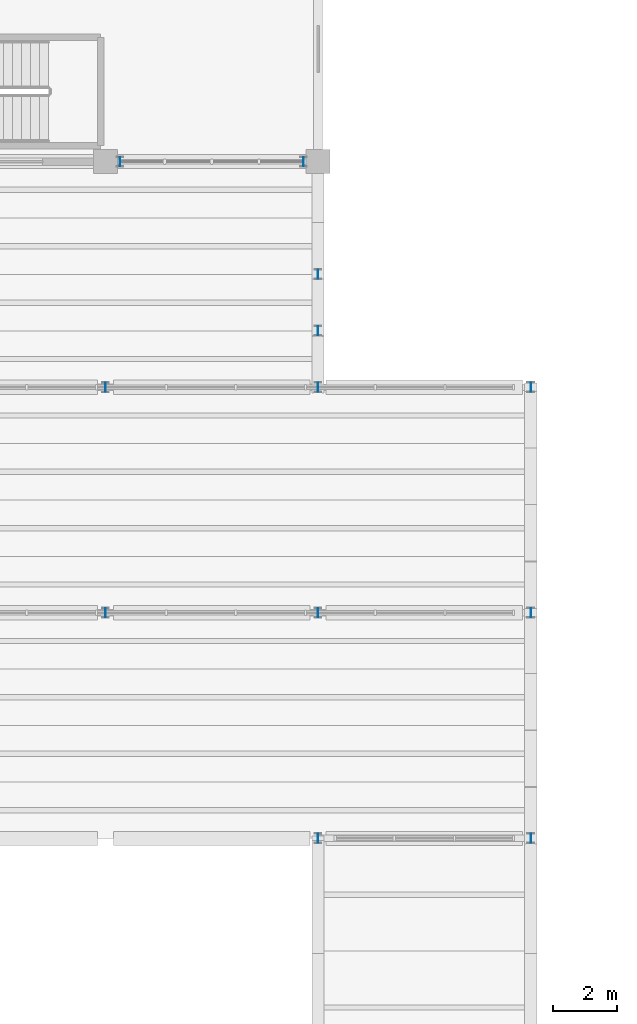
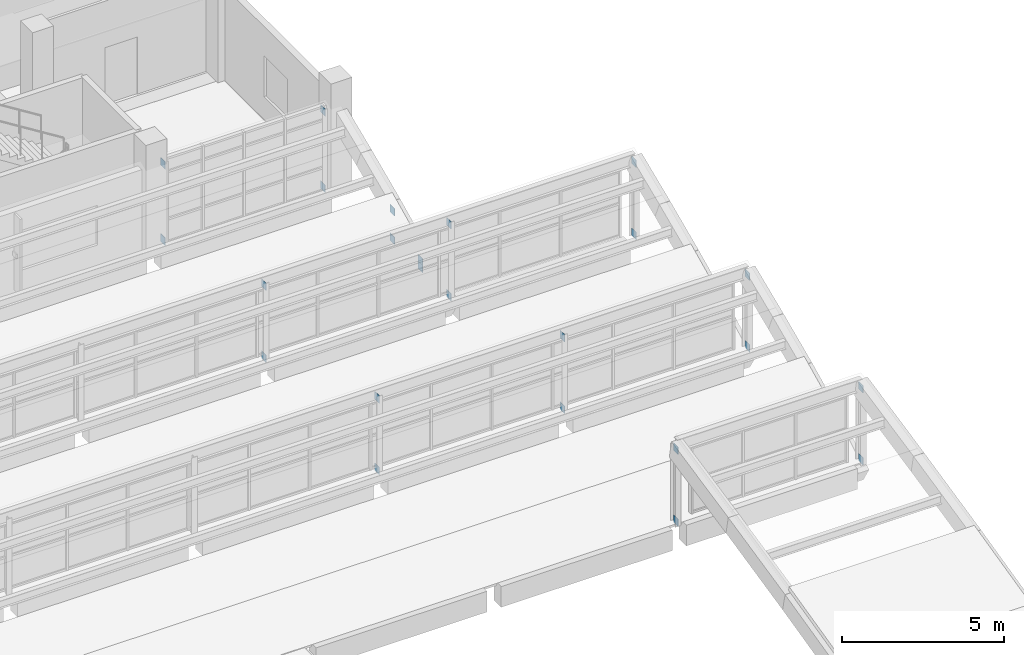
# One storey, part 85 of 92: 24 plates.
"""IFC4 building model written with IfcOpenShell, lengths in metres."""

from ifc_helpers import new_model, si_unit, direction, frame, origin, origin_2d, place, context, subcontext, project, spatial, rectangle, extrude, material, layer, layer_set, type_object, element, save


model = new_model("IFC4")

# Units and contexts
model_context = context("Model", 3, precision=1e-05, world=origin(), true_north=direction((0.0, 1.0)))
body_context = subcontext(model_context, "Body", "Model", "MODEL_VIEW")
ifc_project = project(units=[si_unit("LENGTHUNIT", "METRE"), si_unit("AREAUNIT", "SQUARE_METRE"), si_unit("VOLUMEUNIT", "CUBIC_METRE"), si_unit("PLANEANGLEUNIT", "RADIAN"), si_unit("MASSUNIT", "GRAM", prefix="KILO")], contexts=[model_context])

# Site, building, storey
site_placement = place(None, origin())
site = spatial("IfcSite", under=ifc_project, at=site_placement, CompositionType="ELEMENT")
building_placement = place(site_placement, origin())
building = spatial("IfcBuilding", under=site, at=building_placement, Name="Ciguamira Faculty of Natural Sciences", CompositionType="ELEMENT")
storey_placement = place(building_placement, frame((0.0, 0.0, 16.800048828125)))
storey = spatial("IfcBuildingStorey", under=building, at=storey_placement, Name="L04", CompositionType="ELEMENT", Elevation=16.800048828125)

# Plates
ifc_material = material(Name="Steel ASTM A572 Grade 50", Category="steel")
ifc_layer = layer(ifc_material, 0.01611328125, Name="Steel ASTM A572 Grade 50")
ifc_layer_set = layer_set([ifc_layer], Name="Steel ASTM A572 Grade 50")
plate_type = type_object("IfcPlateType", Name="GussetPlate_EP-01", PredefinedType="SHEET", material=ifc_layer_set)
for number, where, z_axis, x_axis, name in (
    (1, (110.10009765625, 73.0, 0.0), (0.0, 0.0, 1.0), (1.0, 0.0, 0.0), "V4 wave 4 post connection plate 110-1"),
    (2, (110.10009765625, 73.0, 2.7060546875), (0.0, 0.0, 1.0), (1.0, 0.0, 0.0), "V4 wave 4 post connection plate 110-2"),
    (3, (116.699951171875, 73.0, 0.0), (0.0, 0.0, 1.0), (1.0, 0.0, 0.0), "V4 wave 4 post connection plate 117-1"),
    (4, (116.699951171875, 73.0, 2.7060546875), (0.0, 0.0, 1.0), (1.0, 0.0, 0.0), "V4 wave 4 post connection plate 117-2"),
    (5, (103.5, 80.0, 0.0), (0.0, 0.0, 1.0), (1.0, 0.0, 0.0), "V4 wave 5 post connection plate 104-1"),
    (6, (103.5, 80.0, 2.7060546875), (0.0, 0.0, 1.0), (1.0, 0.0, 0.0), "V4 wave 5 post connection plate 104-2"),
    (7, (110.10009765625, 80.0, 0.0), (0.0, 0.0, 1.0), (1.0, 0.0, 0.0), "V4 wave 5 post connection plate 110-1"),
    (8, (110.10009765625, 80.0, 2.7060546875), (0.0, 0.0, 1.0), (1.0, 0.0, 0.0), "V4 wave 5 post connection plate 110-2"),
    (9, (116.699951171875, 80.0, 0.0), (0.0, 0.0, 1.0), (1.0, 0.0, 0.0), "V4 wave 5 post connection plate 117-1"),
    (10, (116.699951171875, 80.0, 2.7060546875), (0.0, 0.0, 1.0), (1.0, 0.0, 0.0), "V4 wave 5 post connection plate 117-2"),
    (11, (103.5, 87.0, 0.0), (0.0, 0.0, 1.0), (1.0, 0.0, 0.0), "V4 wave 6 post connection plate 104-1"),
    (12, (103.5, 87.0, 2.7060546875), (0.0, 0.0, 1.0), (1.0, 0.0, 0.0), "V4 wave 6 post connection plate 104-2"),
    (13, (110.10009765625, 87.0, 0.0), (0.0, 0.0, 1.0), (1.0, 0.0, 0.0), "V4 wave 6 post connection plate 110-1"),
    (14, (110.10009765625, 87.0, 2.7060546875), (0.0, 0.0, 1.0), (1.0, 0.0, 0.0), "V4 wave 6 post connection plate 110-2"),
    (15, (116.699951171875, 87.0, 0.0), (0.0, 0.0, 1.0), (1.0, 0.0, 0.0), "V4 wave 6 post connection plate 117-1"),
    (16, (116.699951171875, 87.0, 2.7060546875), (0.0, 0.0, 1.0), (1.0, 0.0, 0.0), "V4 wave 6 post connection plate 117-2"),
    (17, (103.949951171875, 94.0, 0.0), (0.0, 0.0, 1.0), (1.0, 0.0, 0.0), "V4 wave 7 post connection plate 104-1"),
    (18, (103.949951171875, 94.0, 2.8701171875), (0.0, 0.0, 1.0), (1.0, 0.0, 0.0), "V4 wave 7 post connection plate 104-2"),
    (19, (109.64990234375, 94.0, 0.0), (0.0, 0.0, 1.0), (1.0, 0.0, 0.0), "V4 wave 7 post connection plate 110-1"),
    (20, (109.64990234375, 94.0, 2.8701171875), (0.0, 0.0, 1.0), (1.0, 0.0, 0.0), "V4 wave 7 post connection plate 110-2"),
    (21, (110.10009765625, 88.75, 0.0), (0.0, 0.0, 1.0), (1.0, 0.0, 0.0), "V4 wave 7 edge post plate 2-2-1"),
    (22, (110.10009765625, 88.75, 0.24658203125), (0.0, 0.0, 1.0), (1.0, 0.0, 0.0), "V4 wave 7 edge post plate 2-2-2"),
    (23, (110.10009765625, 90.5, 0.0), (0.0, 0.0, 1.0), (1.0, 0.0, 0.0), "V4 wave 7 edge post plate 3-2-1"),
    (24, (110.10009765625, 90.5, 1.08642578125), (0.0, 0.0, 1.0), (1.0, 0.0, 0.0), "V4 wave 7 edge post plate 3-2-2"),
):
    element("IfcPlate", number, at=place(storey_placement, frame(where, z_axis=z_axis, x_axis=x_axis)), inside=storey, type_object=plate_type, Name=name, PredefinedType="SHEET", context=body_context, shape_type="SweptSolid", body=[
        extrude(rectangle(XDim=0.01611328125, YDim=0.280029296875, at=origin_2d()), origin(), (0.0, 0.0, 1.0), 0.280029296875),
    ])

save(model, "model.ifc")
